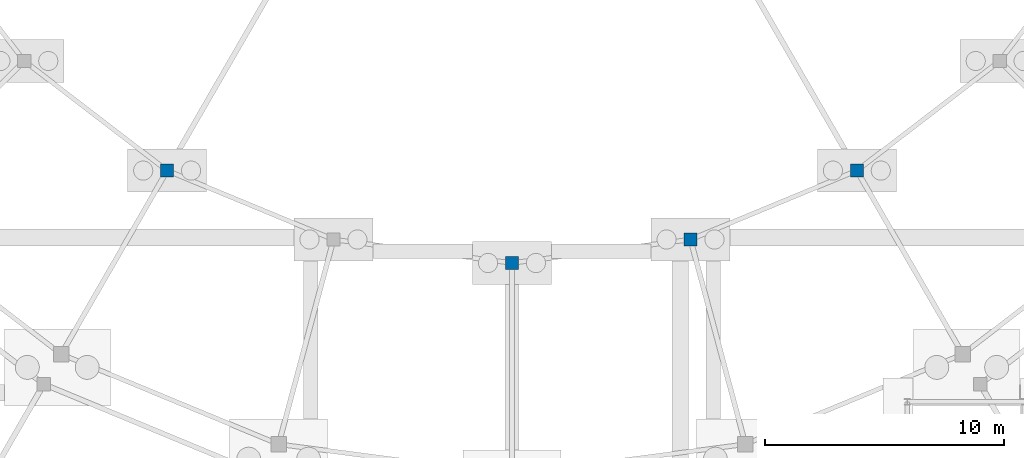
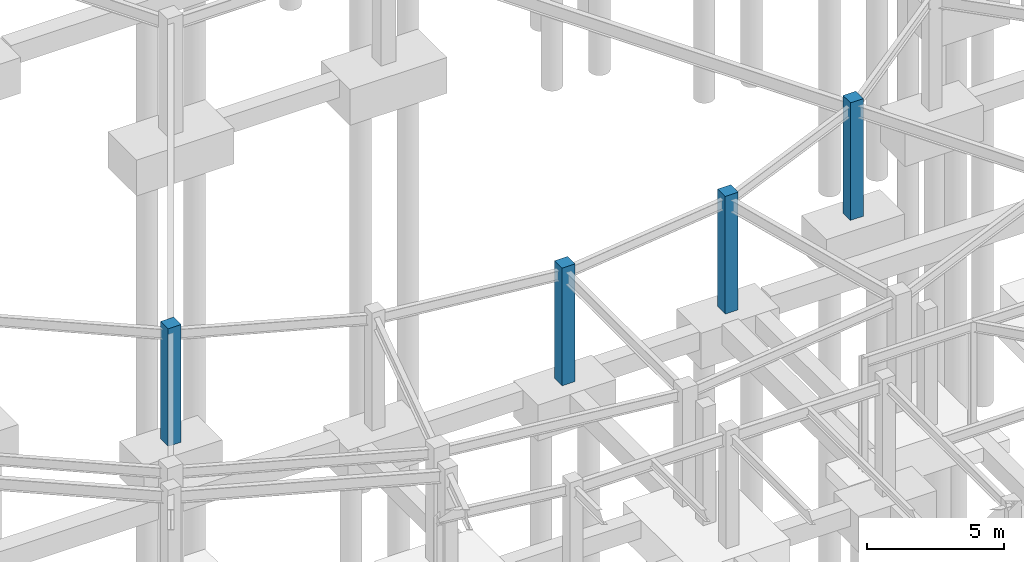
# One storey, part 16 of 55: 4 columns.
"""IFC4 building model written with IfcOpenShell, lengths in metres."""

from ifc_helpers import new_model, si_unit, direction, frame, origin, origin_2d, place, context, subcontext, project, spatial, rectangle, extrude, material, material_profile, profile_set, type_object, element, save


model = new_model("IFC4")

# Units and contexts
model_context = context("Model", 3, precision=1e-05, world=origin(), true_north=direction((0.0, 1.0)))
body_context = subcontext(model_context, "Body", "Model", "MODEL_VIEW")
ifc_project = project(units=[si_unit("LENGTHUNIT", "METRE"), si_unit("AREAUNIT", "SQUARE_METRE"), si_unit("VOLUMEUNIT", "CUBIC_METRE"), si_unit("PLANEANGLEUNIT", "RADIAN"), si_unit("MASSUNIT", "GRAM", prefix="KILO")], contexts=[model_context])

# Site, building, storey
site_placement = place(None, origin())
site = spatial("IfcSite", under=ifc_project, at=site_placement, CompositionType="ELEMENT")
building_placement = place(site_placement, origin())
building = spatial("IfcBuilding", under=site, at=building_placement, Name="Almandine Court Research Institute", CompositionType="ELEMENT")
storey_placement = place(building_placement, frame((0.0, 0.0, -5.25)))
storey = spatial("IfcBuildingStorey", under=building, at=storey_placement, Name="B1", CompositionType="ELEMENT", Elevation=-5.25)

# Columns
ifc_material = material(Name="Concrete C40/50", Category="concrete")
ifc_material_profile = material_profile(ifc_material, rectangle(XDim=0.550048828125, YDim=0.550048828125, at=origin_2d()), Name="RC 550x550")
ifc_profile_set = profile_set([ifc_material_profile], Name="Concrete C40/50")
column_type = type_object("IfcColumnType", Name="Col-C-RC3", PredefinedType="COLUMN", material=ifc_profile_set)
for number, where, z_axis, x_axis, name in (
    (1, (72.60009765625, 31.05810546875, 0.0), (0.0, 0.0, 1.0), (1.0, 0.0, 0.0), "B1 V2 Column V2-MID-S16"),
    (2, (87.0, 27.199951171875, 0.0), (0.0, 0.0, 1.0), (1.0, 0.0, 0.0), "B1 V2 Column V2-MID-S18"),
    (3, (94.4541015625, 28.180908203125, 0.0), (0.0, 0.0, 1.0), (1.0, 0.0, 0.0), "B1 V2 Column V2-MID-S19"),
    (4, (101.39990234375, 31.05810546875, 0.0), (0.0, 0.0, 1.0), (1.0, 0.0, 0.0), "B1 V2 Column V2-MID-S20"),
):
    element("IfcColumn", number, at=place(storey_placement, frame(where, z_axis=z_axis, x_axis=x_axis)), inside=storey, type_object=column_type, Name=name, PredefinedType="COLUMN", context=body_context, shape_type="SweptSolid", body=[
        extrude(rectangle(XDim=0.550048828125, YDim=0.550048828125, at=origin_2d()), origin(), (0.0, 0.0, 1.0), 5.25),
    ])

save(model, "model.ifc")
